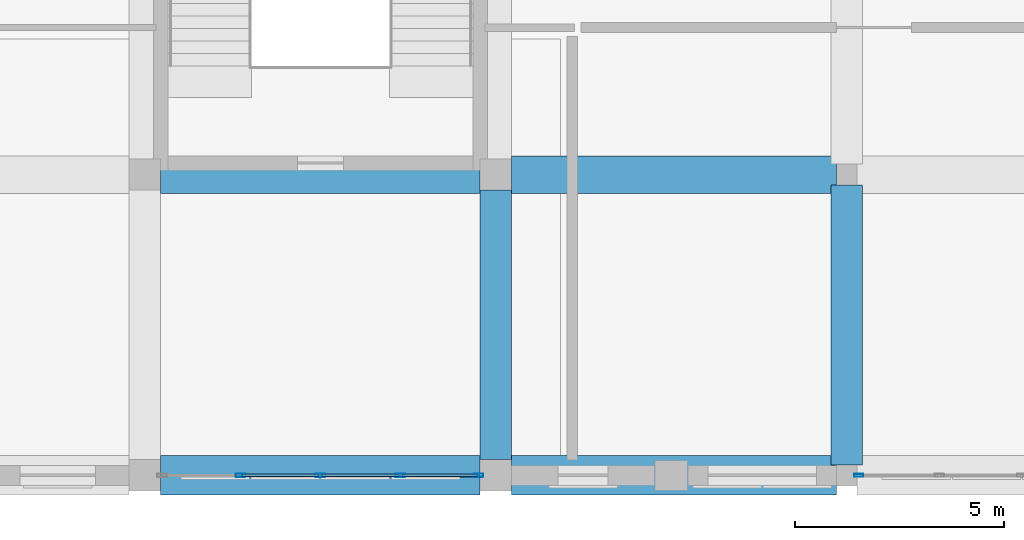
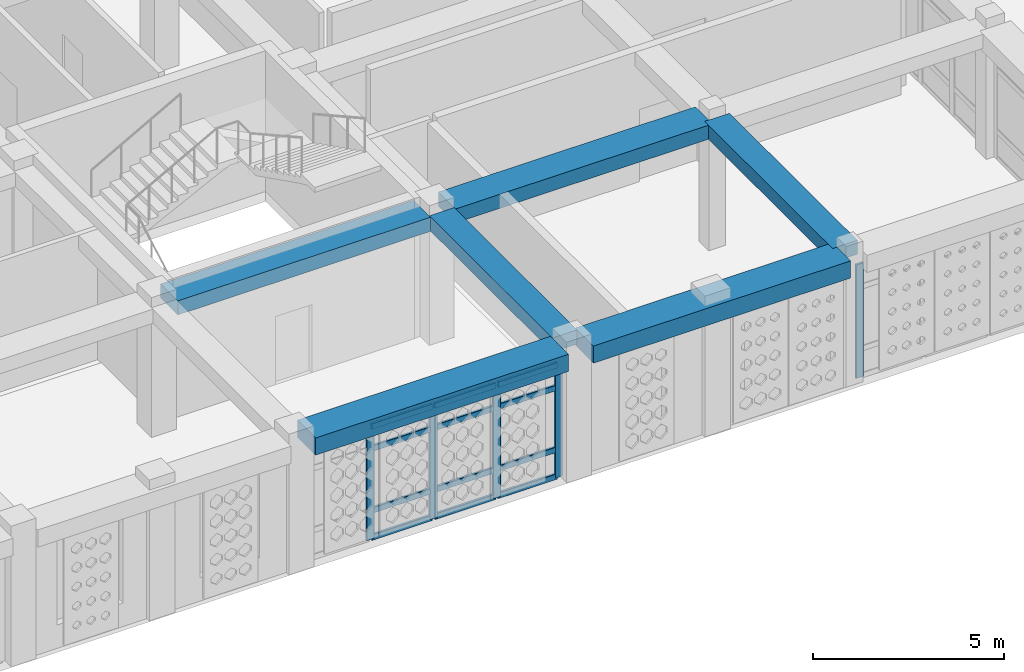
# One storey, part 42 of 111: 17 members, 6 beams, 2 elements without a shape of their own.
"""IFC4 building model written with IfcOpenShell, lengths in metres."""

from ifc_helpers import new_model, si_unit, derived_unit, direction, frame, origin, origin_2d, place, context, subcontext, project, spatial, rectangle, hollow_rectangle, extrude, material, material_profile, profile_set, type_object, element, aggregate, save


model = new_model("IFC4")

# Units and contexts
model_context = context("Model", 3, precision=1e-05, world=origin(), true_north=direction((0.0, 1.0)))
body_context = subcontext(model_context, "Body", "Model", "MODEL_VIEW")
ifc_project = project(units=[si_unit("LENGTHUNIT", "METRE"), si_unit("AREAUNIT", "SQUARE_METRE"), si_unit("VOLUMEUNIT", "CUBIC_METRE"), si_unit("PLANEANGLEUNIT", "RADIAN"), si_unit("MASSUNIT", "GRAM", prefix="KILO"), derived_unit("THERMALTRANSMITTANCEUNIT", [(si_unit("POWERUNIT", "WATT"), 1), (si_unit("LENGTHUNIT", "METRE"), -2), (si_unit("THERMODYNAMICTEMPERATUREUNIT", "KELVIN"), -1)])], contexts=[model_context])

# Site, building, storey
site_placement = place(None, origin())
site = spatial("IfcSite", under=ifc_project, at=site_placement, CompositionType="ELEMENT")
building_placement = place(site_placement, origin())
building = spatial("IfcBuilding", under=site, at=building_placement, Name="Veybourne Emporium", CompositionType="ELEMENT")
storey_placement = place(building_placement, frame((0.0, 0.0, 9.89990234375)))
storey = spatial("IfcBuildingStorey", under=building, at=storey_placement, Name="L02", CompositionType="ELEMENT", Elevation=9.89990234375)

# Curtain wall, member
ifc_material_1 = material(Name="Patinated Architectural Bronze", Category="bronze")
curtain_wall_type_1 = type_object("IfcCurtainWallType", Name="CWSystem_CWS-01", PredefinedType="NOTDEFINED", material=ifc_material_1)
curtain_wall_1_placement = place(storey_placement, origin())
curtain_wall_1 = element("IfcCurtainWall", 1, at=curtain_wall_1_placement, inside=storey, type_object=curtain_wall_type_1, Name="L02 bronze glazed curtain wall CWS-01 (072)", PredefinedType="NOTDEFINED")
ifc_material_profile_1 = material_profile(ifc_material_1, hollow_rectangle(XDim=0.072021484375, YDim=0.22509765625, WallThickness=0.0048828125, InnerFilletRadius=0.007568359375, OuterFilletRadius=0.012451171875, at=origin_2d()), Name="CWM 72x225x5")
ifc_profile_set_1 = profile_set([ifc_material_profile_1], Name="Patinated Architectural Bronze")
member_type_1 = type_object("IfcMemberType", Name="CWMullion_CW-M1", PredefinedType="MULLION", material=ifc_profile_set_1)
member_1_placement = place(storey_placement, frame((143.0859375, 0.0, 0.0), z_axis=(0.0, 0.0, 1.0), x_axis=(0.0, -1.0, 0.0)))
member_1 = element("IfcMember", 2, at=member_1_placement, type_object=member_type_1, Name="CWS-01 mullion 5", PredefinedType="MULLION", context=body_context, shape_type="SweptSolid", body=[
    extrude(hollow_rectangle(XDim=0.072021484375, YDim=0.22509765625, WallThickness=0.0048828125, InnerFilletRadius=0.007568359375, OuterFilletRadius=0.012451171875, at=origin_2d()), origin(), (0.0, 0.0, 1.0), 3.630126953125),
])
aggregate(curtain_wall_1, [member_1])

# Curtain wall, members
curtain_wall_type_2 = type_object("IfcCurtainWallType", Name="CWSystem_CWS-27", PredefinedType="NOTDEFINED", material=ifc_material_1)
curtain_wall_2_placement = place(storey_placement, origin())
curtain_wall_2 = element("IfcCurtainWall", 3, at=curtain_wall_2_placement, inside=storey, type_object=curtain_wall_type_2, Name="L02 bronze glazed curtain wall CWS-27 (067)", PredefinedType="NOTDEFINED")
ifc_material_profile_2 = material_profile(ifc_material_1, hollow_rectangle(XDim=0.077880859375, YDim=0.235107421875, WallThickness=0.0048828125, InnerFilletRadius=0.007568359375, OuterFilletRadius=0.012451171875, at=origin_2d()), Name="CWM 78x235x5")
ifc_profile_set_2 = profile_set([ifc_material_profile_2], Name="Patinated Architectural Bronze")
member_type_2 = type_object("IfcMemberType", Name="CWMullion_CW-M3", PredefinedType="MULLION", material=ifc_profile_set_2)
member_2_placement = place(storey_placement, frame((133.986083984375, 0.0, 0.0), z_axis=(0.0, 0.0, 1.0), x_axis=(0.0, -1.0, 0.0)))
member_2 = element("IfcMember", 4, at=member_2_placement, type_object=member_type_2, Name="CWS-27 mullion 1", PredefinedType="MULLION", context=body_context, shape_type="SweptSolid", body=[
    extrude(hollow_rectangle(XDim=0.077880859375, YDim=0.235107421875, WallThickness=0.0048828125, InnerFilletRadius=0.007568359375, OuterFilletRadius=0.012451171875, at=origin_2d()), origin(), (0.0, 0.0, 1.0), 3.630126953125),
])
member_3_placement = place(storey_placement, frame((132.112548828125, 0.0, 0.0), z_axis=(0.0, 0.0, 1.0), x_axis=(0.0, -1.0, 0.0)))
member_3 = element("IfcMember", 5, at=member_3_placement, type_object=member_type_2, Name="CWS-27 mullion 2", PredefinedType="MULLION", context=body_context, shape_type="SweptSolid", body=[
    extrude(hollow_rectangle(XDim=0.077880859375, YDim=0.235107421875, WallThickness=0.0048828125, InnerFilletRadius=0.007568359375, OuterFilletRadius=0.012451171875, at=origin_2d()), origin(), (0.0, 0.0, 1.0), 3.630126953125),
])
member_4_placement = place(storey_placement, frame((130.199951171875, 0.0, 0.0), z_axis=(0.0, 0.0, 1.0), x_axis=(0.0, -1.0, 0.0)))
member_4 = element("IfcMember", 6, at=member_4_placement, type_object=member_type_2, Name="CWS-27 mullion 3", PredefinedType="MULLION", context=body_context, shape_type="SweptSolid", body=[
    extrude(hollow_rectangle(XDim=0.077880859375, YDim=0.235107421875, WallThickness=0.0048828125, InnerFilletRadius=0.007568359375, OuterFilletRadius=0.012451171875, at=origin_2d()), origin(), (0.0, 0.0, 1.0), 3.630126953125),
])
member_5_placement = place(storey_placement, frame((128.28759765625, 0.0, 0.0), z_axis=(0.0, 0.0, 1.0), x_axis=(0.0, -1.0, 0.0)))
member_5 = element("IfcMember", 7, at=member_5_placement, type_object=member_type_2, Name="CWS-27 mullion 4", PredefinedType="MULLION", context=body_context, shape_type="SweptSolid", body=[
    extrude(hollow_rectangle(XDim=0.077880859375, YDim=0.235107421875, WallThickness=0.0048828125, InnerFilletRadius=0.007568359375, OuterFilletRadius=0.012451171875, at=origin_2d()), origin(), (0.0, 0.0, 1.0), 3.630126953125),
])
ifc_material_profile_3 = material_profile(ifc_material_1, hollow_rectangle(XDim=0.077880859375, YDim=0.18505859375, WallThickness=0.0048828125, InnerFilletRadius=0.007568359375, OuterFilletRadius=0.012451171875, at=origin_2d()), Name="CWT 78x185x5")
ifc_profile_set_3 = profile_set([ifc_material_profile_3], Name="Patinated Architectural Bronze")
member_type_3 = type_object("IfcMemberType", Name="CWTransom_CW-T3", PredefinedType="NOTDEFINED", material=ifc_profile_set_3)
member_6_placement = place(storey_placement, frame((133.947021484375, 0.0, 0.0390625), z_axis=(-1.0, 0.0, 0.0), x_axis=(0.0, -1.0, 0.0)))
member_6 = element("IfcMember", 8, at=member_6_placement, type_object=member_type_3, Name="CWS-27 transom 1.1", ObjectType="TRANSOM", PredefinedType="USERDEFINED", context=body_context, shape_type="SweptSolid", body=[
    extrude(hollow_rectangle(XDim=0.077880859375, YDim=0.18505859375, WallThickness=0.0048828125, InnerFilletRadius=0.007568359375, OuterFilletRadius=0.012451171875, at=origin_2d()), origin(), (0.0, 0.0, 1.0), 1.79541015625),
])
member_7_placement = place(storey_placement, frame((133.947021484375, 0.0, 0.900146484375), z_axis=(-1.0, 0.0, 0.0), x_axis=(0.0, -1.0, 0.0)))
member_7 = element("IfcMember", 9, at=member_7_placement, type_object=member_type_3, Name="CWS-27 transom 1.2", ObjectType="TRANSOM", PredefinedType="USERDEFINED", context=body_context, shape_type="SweptSolid", body=[
    extrude(hollow_rectangle(XDim=0.077880859375, YDim=0.18505859375, WallThickness=0.0048828125, InnerFilletRadius=0.007568359375, OuterFilletRadius=0.012451171875, at=origin_2d()), origin(), (0.0, 0.0, 1.0), 1.79541015625),
])
member_8_placement = place(storey_placement, frame((133.947021484375, 0.0, 2.880126953125), z_axis=(-1.0, 0.0, 0.0), x_axis=(0.0, -1.0, 0.0)))
member_8 = element("IfcMember", 10, at=member_8_placement, type_object=member_type_3, Name="CWS-27 transom 1.3", ObjectType="TRANSOM", PredefinedType="USERDEFINED", context=body_context, shape_type="SweptSolid", body=[
    extrude(hollow_rectangle(XDim=0.077880859375, YDim=0.18505859375, WallThickness=0.0048828125, InnerFilletRadius=0.007568359375, OuterFilletRadius=0.012451171875, at=origin_2d()), origin(), (0.0, 0.0, 1.0), 1.79541015625),
])
member_9_placement = place(storey_placement, frame((133.947021484375, 0.0, 3.591064453125), z_axis=(-1.0, 0.0, 0.0), x_axis=(0.0, -1.0, 0.0)))
member_9 = element("IfcMember", 11, at=member_9_placement, type_object=member_type_3, Name="CWS-27 transom 1.4", ObjectType="TRANSOM", PredefinedType="USERDEFINED", context=body_context, shape_type="SweptSolid", body=[
    extrude(hollow_rectangle(XDim=0.077880859375, YDim=0.18505859375, WallThickness=0.0048828125, InnerFilletRadius=0.007568359375, OuterFilletRadius=0.012451171875, at=origin_2d()), origin(), (0.0, 0.0, 1.0), 1.79541015625),
])
member_10_placement = place(storey_placement, frame((132.073486328125, 0.0, 0.0390625), z_axis=(-1.0, 0.0, 0.0), x_axis=(0.0, -1.0, 0.0)))
member_10 = element("IfcMember", 12, at=member_10_placement, type_object=member_type_3, Name="CWS-27 transom 2.1", ObjectType="TRANSOM", PredefinedType="USERDEFINED", context=body_context, shape_type="SweptSolid", body=[
    extrude(hollow_rectangle(XDim=0.077880859375, YDim=0.18505859375, WallThickness=0.0048828125, InnerFilletRadius=0.007568359375, OuterFilletRadius=0.012451171875, at=origin_2d()), origin(), (0.0, 0.0, 1.0), 1.83447265625),
])
member_11_placement = place(storey_placement, frame((132.073486328125, 0.0, 0.900146484375), z_axis=(-1.0, 0.0, 0.0), x_axis=(0.0, -1.0, 0.0)))
member_11 = element("IfcMember", 13, at=member_11_placement, type_object=member_type_3, Name="CWS-27 transom 2.2", ObjectType="TRANSOM", PredefinedType="USERDEFINED", context=body_context, shape_type="SweptSolid", body=[
    extrude(hollow_rectangle(XDim=0.077880859375, YDim=0.18505859375, WallThickness=0.0048828125, InnerFilletRadius=0.007568359375, OuterFilletRadius=0.012451171875, at=origin_2d()), origin(), (0.0, 0.0, 1.0), 1.83447265625),
])
member_12_placement = place(storey_placement, frame((132.073486328125, 0.0, 2.880126953125), z_axis=(-1.0, 0.0, 0.0), x_axis=(0.0, -1.0, 0.0)))
member_12 = element("IfcMember", 14, at=member_12_placement, type_object=member_type_3, Name="CWS-27 transom 2.3", ObjectType="TRANSOM", PredefinedType="USERDEFINED", context=body_context, shape_type="SweptSolid", body=[
    extrude(hollow_rectangle(XDim=0.077880859375, YDim=0.18505859375, WallThickness=0.0048828125, InnerFilletRadius=0.007568359375, OuterFilletRadius=0.012451171875, at=origin_2d()), origin(), (0.0, 0.0, 1.0), 1.83447265625),
])
member_13_placement = place(storey_placement, frame((132.073486328125, 0.0, 3.591064453125), z_axis=(-1.0, 0.0, 0.0), x_axis=(0.0, -1.0, 0.0)))
member_13 = element("IfcMember", 15, at=member_13_placement, type_object=member_type_3, Name="CWS-27 transom 2.4", ObjectType="TRANSOM", PredefinedType="USERDEFINED", context=body_context, shape_type="SweptSolid", body=[
    extrude(hollow_rectangle(XDim=0.077880859375, YDim=0.18505859375, WallThickness=0.0048828125, InnerFilletRadius=0.007568359375, OuterFilletRadius=0.012451171875, at=origin_2d()), origin(), (0.0, 0.0, 1.0), 1.83447265625),
])
member_14_placement = place(storey_placement, frame((130.160888671875, 0.0, 0.0390625), z_axis=(-1.0, 0.0, 0.0), x_axis=(0.0, -1.0, 0.0)))
member_14 = element("IfcMember", 16, at=member_14_placement, type_object=member_type_3, Name="CWS-27 transom 3.1", ObjectType="TRANSOM", PredefinedType="USERDEFINED", context=body_context, shape_type="SweptSolid", body=[
    extrude(hollow_rectangle(XDim=0.077880859375, YDim=0.18505859375, WallThickness=0.0048828125, InnerFilletRadius=0.007568359375, OuterFilletRadius=0.012451171875, at=origin_2d()), origin(), (0.0, 0.0, 1.0), 1.83447265625),
])
member_15_placement = place(storey_placement, frame((130.160888671875, 0.0, 0.900146484375), z_axis=(-1.0, 0.0, 0.0), x_axis=(0.0, -1.0, 0.0)))
member_15 = element("IfcMember", 17, at=member_15_placement, type_object=member_type_3, Name="CWS-27 transom 3.2", ObjectType="TRANSOM", PredefinedType="USERDEFINED", context=body_context, shape_type="SweptSolid", body=[
    extrude(hollow_rectangle(XDim=0.077880859375, YDim=0.18505859375, WallThickness=0.0048828125, InnerFilletRadius=0.007568359375, OuterFilletRadius=0.012451171875, at=origin_2d()), origin(), (0.0, 0.0, 1.0), 1.83447265625),
])
member_16_placement = place(storey_placement, frame((130.160888671875, 0.0, 2.880126953125), z_axis=(-1.0, 0.0, 0.0), x_axis=(0.0, -1.0, 0.0)))
member_16 = element("IfcMember", 18, at=member_16_placement, type_object=member_type_3, Name="CWS-27 transom 3.3", ObjectType="TRANSOM", PredefinedType="USERDEFINED", context=body_context, shape_type="SweptSolid", body=[
    extrude(hollow_rectangle(XDim=0.077880859375, YDim=0.18505859375, WallThickness=0.0048828125, InnerFilletRadius=0.007568359375, OuterFilletRadius=0.012451171875, at=origin_2d()), origin(), (0.0, 0.0, 1.0), 1.83447265625),
])
member_17_placement = place(storey_placement, frame((130.160888671875, 0.0, 3.591064453125), z_axis=(-1.0, 0.0, 0.0), x_axis=(0.0, -1.0, 0.0)))
member_17 = element("IfcMember", 19, at=member_17_placement, type_object=member_type_3, Name="CWS-27 transom 3.4", ObjectType="TRANSOM", PredefinedType="USERDEFINED", context=body_context, shape_type="SweptSolid", body=[
    extrude(hollow_rectangle(XDim=0.077880859375, YDim=0.18505859375, WallThickness=0.0048828125, InnerFilletRadius=0.007568359375, OuterFilletRadius=0.012451171875, at=origin_2d()), origin(), (0.0, 0.0, 1.0), 1.83447265625),
])
aggregate(curtain_wall_2, [member_2, member_3, member_4, member_5, member_6, member_7, member_8, member_9, member_10, member_11, member_12, member_13, member_14, member_15, member_16, member_17])

# Beams
ifc_material_2 = material(Name="Concrete C32/40", Category="concrete")
ifc_material_profile_4 = material_profile(ifc_material_2, rectangle(XDim=0.89990234375, YDim=0.449951171875, at=origin_2d()), Name="RC 900x450")
ifc_profile_set_4 = profile_set([ifc_material_profile_4], Name="Concrete C32/40")
beam_type_1 = type_object("IfcBeamType", Name="RCBeam_BB-03", PredefinedType="BEAM", material=ifc_profile_set_4)
beam_1_placement = place(storey_placement, frame((126.375, 7.199951171875, 3.955078125), z_axis=(1.0, 0.0, 0.0), x_axis=(0.0, 1.0, 0.0)))
element("IfcBeam", 20, at=beam_1_placement, inside=storey, type_object=beam_type_1, Name="L02 X-grid beam BB-03 (15,1)", PredefinedType="BEAM", context=body_context, shape_type="SweptSolid", body=[
    extrude(rectangle(XDim=0.89990234375, YDim=0.449951171875, at=origin_2d()), origin(), (0.0, 0.0, 1.0), 7.64990234375),
])
beam_2_placement = place(storey_placement, frame((134.77490234375, 7.199951171875, 3.955078125), z_axis=(1.0, 0.0, 0.0), x_axis=(0.0, 1.0, 0.0)))
element("IfcBeam", 21, at=beam_2_placement, inside=storey, type_object=beam_type_1, Name="L02 X-grid beam BB-03 (16,1)", PredefinedType="BEAM", context=body_context, shape_type="SweptSolid", body=[
    extrude(rectangle(XDim=0.89990234375, YDim=0.449951171875, at=origin_2d()), origin(), (0.0, 0.0, 1.0), 7.775146484375),
])
ifc_material_profile_5 = material_profile(ifc_material_2, rectangle(XDim=0.75, YDim=0.449951171875, at=origin_2d()), Name="RC 750x450")
ifc_profile_set_5 = profile_set([ifc_material_profile_5], Name="Concrete C32/40")
beam_type_2 = type_object("IfcBeamType", Name="RCBeam_BB-04", PredefinedType="BEAM", material=ifc_profile_set_5)
beam_3_placement = place(storey_placement, frame((134.39990234375, 0.375, 3.955078125), z_axis=(0.0, 1.0, 0.0), x_axis=(-1.0, 0.0, 0.0)))
element("IfcBeam", 22, at=beam_3_placement, inside=storey, type_object=beam_type_2, Name="L02 Y-grid beam BB-04 (16,0)", PredefinedType="BEAM", context=body_context, shape_type="SweptSolid", body=[
    extrude(rectangle(XDim=0.75, YDim=0.449951171875, at=origin_2d()), origin(), (0.0, 0.0, 1.0), 6.449951171875),
])
beam_4_placement = place(storey_placement, frame((142.800048828125, 0.25, 3.955078125), z_axis=(0.0, 1.0, 0.0), x_axis=(-1.0, 0.0, 0.0)))
element("IfcBeam", 23, at=beam_4_placement, inside=storey, type_object=beam_type_2, Name="L02 Y-grid beam BB-04 (17,0)", PredefinedType="BEAM", context=body_context, shape_type="SweptSolid", body=[
    extrude(rectangle(XDim=0.75, YDim=0.449951171875, at=origin_2d()), origin(), (0.0, 0.0, 1.0), 6.699951171875),
])
ifc_material_profile_6 = material_profile(ifc_material_2, rectangle(XDim=0.949951171875, YDim=0.550048828125, at=origin_2d()), Name="RC 950x550")
ifc_profile_set_6 = profile_set([ifc_material_profile_6], Name="Concrete C32/40")
beam_type_3 = type_object("IfcBeamType", Name="RCBeam_EB-01", PredefinedType="SPANDREL", material=ifc_profile_set_6)
beam_5_placement = place(storey_placement, frame((126.375, 0.0, 3.905029296875), z_axis=(1.0, 0.0, 0.0), x_axis=(0.0, 1.0, 0.0)))
element("IfcBeam", 24, at=beam_5_placement, inside=storey, type_object=beam_type_3, Name="L02 X-grid beam EB-01 (15,0)", PredefinedType="SPANDREL", context=body_context, shape_type="SweptSolid", body=[
    extrude(rectangle(XDim=0.949951171875, YDim=0.550048828125, at=origin_2d()), origin(), (0.0, 0.0, 1.0), 7.64990234375),
])
beam_6_placement = place(storey_placement, frame((134.77490234375, 0.0, 3.905029296875), z_axis=(1.0, 0.0, 0.0), x_axis=(0.0, 1.0, 0.0)))
element("IfcBeam", 25, at=beam_6_placement, inside=storey, type_object=beam_type_3, Name="L02 X-grid beam EB-01 (16,0)", PredefinedType="SPANDREL", context=body_context, shape_type="SweptSolid", body=[
    extrude(rectangle(XDim=0.949951171875, YDim=0.550048828125, at=origin_2d()), origin(), (0.0, 0.0, 1.0), 7.775146484375),
])

save(model, "model.ifc")
